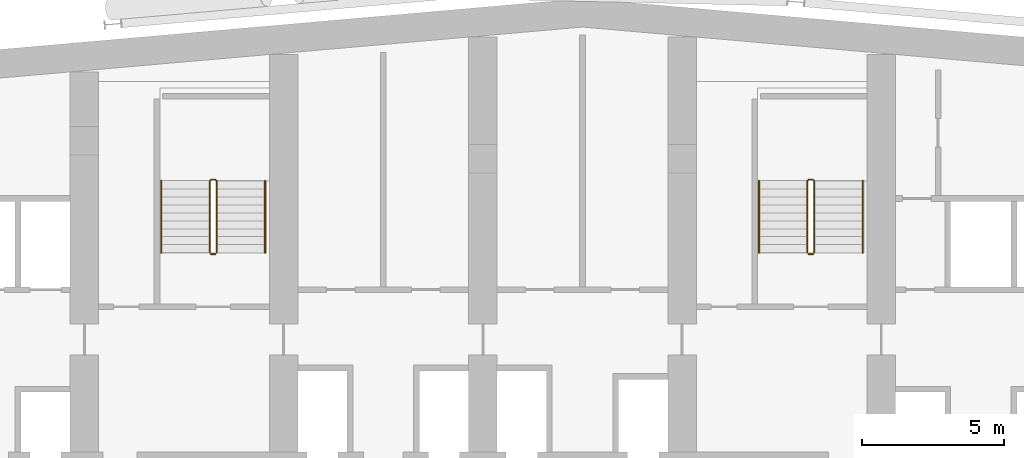
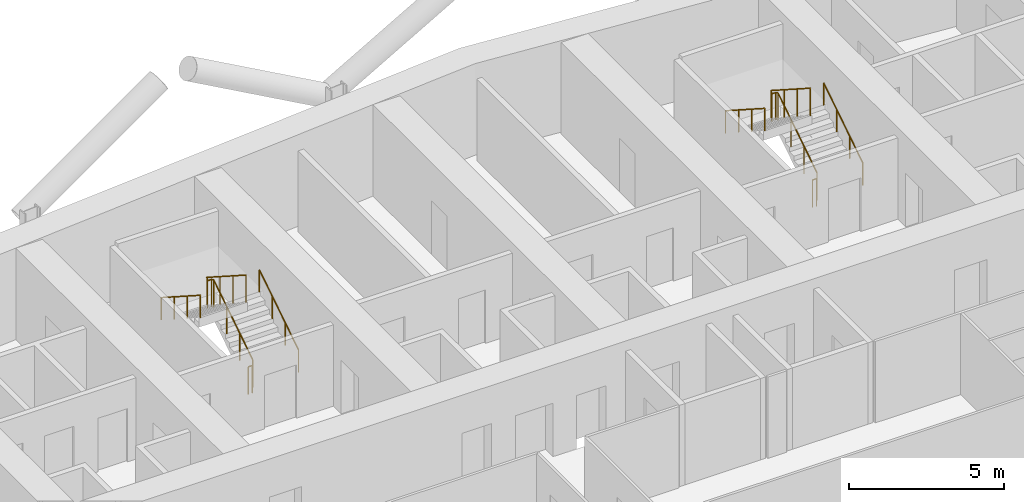
# One storey, part 25 of 26: 8 railings.
"""IFC4 building model written with IfcOpenShell, lengths in metres."""

from ifc_helpers import new_model, si_unit, direction, frame, origin, origin_2d, place, context, subcontext, project, spatial, circle, extrude, material, type_object, element, save


model = new_model("IFC4")

# Units and contexts
model_context = context("Model", 3, precision=1e-05, world=origin(), true_north=direction((0.0, 1.0)))
body_context = subcontext(model_context, "Body", "Model", "MODEL_VIEW")
ifc_project = project(units=[si_unit("LENGTHUNIT", "METRE"), si_unit("AREAUNIT", "SQUARE_METRE"), si_unit("VOLUMEUNIT", "CUBIC_METRE"), si_unit("PLANEANGLEUNIT", "RADIAN"), si_unit("MASSUNIT", "GRAM", prefix="KILO")], contexts=[model_context])

# Site, building, storey
site_placement = place(None, origin())
site = spatial("IfcSite", under=ifc_project, at=site_placement, CompositionType="ELEMENT")
building_placement = place(site_placement, origin())
building = spatial("IfcBuilding", under=site, at=building_placement, Name="Wharfspan Tower", CompositionType="ELEMENT")
storey_placement = place(building_placement, frame((0.0, 0.0, 114.699951)))
storey = spatial("IfcBuildingStorey", under=building, at=storey_placement, Name="L26", CompositionType="ELEMENT", Elevation=114.699951)

# Railings
ifc_material = material(Name="Steel S355J2", Category="steel")
railing_type_1 = type_object("IfcRailingType", Name="Stair guard 1100", PredefinedType="GUARDRAIL", material=ifc_material)
railing_1_placement = place(storey_placement, frame((27.649902, 42.0, 0.179932)))
element("IfcRailing", 1, at=railing_1_placement, inside=storey, type_object=railing_type_1, Name="L26 ST1 stair guard 1", PredefinedType="GUARDRAIL", context=body_context, shape_type="SweptSolid", body=[
    extrude(circle(Radius=0.023926, at=origin_2d()), frame((0.0, 0.0, 1.076172), z_axis=(0.0, 0.841163, 0.540782), x_axis=(-1.0, 0.0, 0.0)), (0.0, 0.0, 1.0), 2.99585),
    extrude(circle(Radius=0.023926, at=origin_2d()), frame((0.0, 2.52002, 2.696289), z_axis=(-0.705376, 0.708834, 0.0), x_axis=(-0.708834, -0.705376, 0.0)), (0.0, 0.0, 1.0), 0.070557),
    extrude(circle(Radius=0.023926, at=origin_2d()), frame((-0.049805, 2.570068, 2.696289), z_axis=(-1.0, 0.0, 0.0), x_axis=(0.0, -1.0, 0.0)), (0.0, 0.0, 1.0), 0.150146),
    extrude(circle(Radius=0.023926, at=origin_2d()), frame((-0.199951, 2.570068, 2.696289), z_axis=(-0.258848, -0.258848, 0.930589), x_axis=(0.707107, -0.707107, 0.0)), (0.0, 0.0, 1.0), 0.193359),
    extrude(circle(Radius=0.023926, at=origin_2d()), frame((-0.25, 2.52002, 2.875977), z_axis=(0.0, -0.841163, 0.540782), x_axis=(1.0, 0.0, 0.0)), (0.0, 0.0, 1.0), 2.99585),
    extrude(circle(Radius=0.020996, at=origin_2d()), origin(), (0.0, 0.0, 1.0), 1.052002),
    extrude(circle(Radius=0.020996, at=origin_2d()), frame((0.0, 0.840088, 0.540039)), (0.0, 0.0, 1.0), 1.052002),
    extrude(circle(Radius=0.020996, at=origin_2d()), frame((0.0, 1.679932, 1.080078)), (0.0, 0.0, 1.0), 1.052002),
    extrude(circle(Radius=0.020996, at=origin_2d()), frame((0.0, 2.52002, 1.620117)), (0.0, 0.0, 1.0), 1.052002),
    extrude(circle(Radius=0.020996, at=origin_2d()), frame((-0.049805, 2.570068, 1.620117)), (0.0, 0.0, 1.0), 1.052002),
    extrude(circle(Radius=0.020996, at=origin_2d()), frame((-0.199951, 2.570068, 1.620117)), (0.0, 0.0, 1.0), 1.052002),
    extrude(circle(Radius=0.020996, at=origin_2d()), frame((-0.25, 2.52002, 1.800049)), (0.0, 0.0, 1.0), 1.052002),
    extrude(circle(Radius=0.020996, at=origin_2d()), frame((-0.25, 1.679932, 2.340088)), (0.0, 0.0, 1.0), 1.052002),
    extrude(circle(Radius=0.020996, at=origin_2d()), frame((-0.25, 0.840088, 2.880127)), (0.0, 0.0, 1.0), 1.052002),
    extrude(circle(Radius=0.020996, at=origin_2d()), frame((-0.25, 0.0, 3.420166)), (0.0, 0.0, 1.0), 1.052002),
])
railing_2_placement = place(storey_placement, frame((27.600098, 41.949951, 0.0)))
element("IfcRailing", 2, at=railing_2_placement, inside=storey, type_object=railing_type_1, Name="L26 ST1 stair guard 2", PredefinedType="GUARDRAIL", context=body_context, shape_type="SweptSolid", body=[
    extrude(circle(Radius=0.023926, at=origin_2d()), frame((0.0, 0.0, 1.076172), z_axis=(-1.0, 0.0, 0.0), x_axis=(0.0, -1.0, 0.0)), (0.0, 0.0, 1.0), 0.150146),
    extrude(circle(Radius=0.020996, at=origin_2d()), origin(), (0.0, 0.0, 1.0), 1.052002),
    extrude(circle(Radius=0.020996, at=origin_2d()), frame((-0.150146, 0.0, 0.0)), (0.0, 0.0, 1.0), 1.052002),
])
railing_3_placement = place(storey_placement, frame((48.649902, 42.0, 0.179932)))
element("IfcRailing", 3, at=railing_3_placement, inside=storey, type_object=railing_type_1, Name="L26 ST2 stair guard 1", PredefinedType="GUARDRAIL", context=body_context, shape_type="SweptSolid", body=[
    extrude(circle(Radius=0.023926, at=origin_2d()), frame((0.0, 0.0, 1.076172), z_axis=(0.0, 0.841163, 0.540782), x_axis=(-1.0, 0.0, 0.0)), (0.0, 0.0, 1.0), 2.99585),
    extrude(circle(Radius=0.023926, at=origin_2d()), frame((0.0, 2.52002, 2.696289), z_axis=(-0.705376, 0.708834, 0.0), x_axis=(-0.708834, -0.705376, 0.0)), (0.0, 0.0, 1.0), 0.070557),
    extrude(circle(Radius=0.023926, at=origin_2d()), frame((-0.049805, 2.570068, 2.696289), z_axis=(-1.0, 0.0, 0.0), x_axis=(0.0, -1.0, 0.0)), (0.0, 0.0, 1.0), 0.150146),
    extrude(circle(Radius=0.023926, at=origin_2d()), frame((-0.199951, 2.570068, 2.696289), z_axis=(-0.258848, -0.258848, 0.930589), x_axis=(0.707107, -0.707107, 0.0)), (0.0, 0.0, 1.0), 0.193359),
    extrude(circle(Radius=0.023926, at=origin_2d()), frame((-0.25, 2.52002, 2.875977), z_axis=(0.0, -0.841163, 0.540782), x_axis=(1.0, 0.0, 0.0)), (0.0, 0.0, 1.0), 2.99585),
    extrude(circle(Radius=0.020996, at=origin_2d()), origin(), (0.0, 0.0, 1.0), 1.052002),
    extrude(circle(Radius=0.020996, at=origin_2d()), frame((0.0, 0.840088, 0.540039)), (0.0, 0.0, 1.0), 1.052002),
    extrude(circle(Radius=0.020996, at=origin_2d()), frame((0.0, 1.679932, 1.080078)), (0.0, 0.0, 1.0), 1.052002),
    extrude(circle(Radius=0.020996, at=origin_2d()), frame((0.0, 2.52002, 1.620117)), (0.0, 0.0, 1.0), 1.052002),
    extrude(circle(Radius=0.020996, at=origin_2d()), frame((-0.049805, 2.570068, 1.620117)), (0.0, 0.0, 1.0), 1.052002),
    extrude(circle(Radius=0.020996, at=origin_2d()), frame((-0.199951, 2.570068, 1.620117)), (0.0, 0.0, 1.0), 1.052002),
    extrude(circle(Radius=0.020996, at=origin_2d()), frame((-0.25, 2.52002, 1.800049)), (0.0, 0.0, 1.0), 1.052002),
    extrude(circle(Radius=0.020996, at=origin_2d()), frame((-0.25, 1.679932, 2.340088)), (0.0, 0.0, 1.0), 1.052002),
    extrude(circle(Radius=0.020996, at=origin_2d()), frame((-0.25, 0.840088, 2.880127)), (0.0, 0.0, 1.0), 1.052002),
    extrude(circle(Radius=0.020996, at=origin_2d()), frame((-0.25, 0.0, 3.420166)), (0.0, 0.0, 1.0), 1.052002),
])
railing_4_placement = place(storey_placement, frame((48.600098, 41.949951, 0.0)))
element("IfcRailing", 4, at=railing_4_placement, inside=storey, type_object=railing_type_1, Name="L26 ST2 stair guard 2", PredefinedType="GUARDRAIL", context=body_context, shape_type="SweptSolid", body=[
    extrude(circle(Radius=0.023926, at=origin_2d()), frame((0.0, 0.0, 1.076172), z_axis=(-1.0, 0.0, 0.0), x_axis=(0.0, -1.0, 0.0)), (0.0, 0.0, 1.0), 0.150146),
    extrude(circle(Radius=0.020996, at=origin_2d()), origin(), (0.0, 0.0, 1.0), 1.052002),
    extrude(circle(Radius=0.020996, at=origin_2d()), frame((-0.150146, 0.0, 0.0)), (0.0, 0.0, 1.0), 1.052002),
])
railing_type_2 = type_object("IfcRailingType", Name="Stair handrail 900", PredefinedType="HANDRAIL", material=ifc_material)
railing_5_placement = place(storey_placement, frame((29.350098, 42.0, 0.179932)))
element("IfcRailing", 5, at=railing_5_placement, inside=storey, type_object=railing_type_2, Name="L26 ST1 stair handrail 1", PredefinedType="HANDRAIL", context=body_context, shape_type="SweptSolid", body=[
    extrude(circle(Radius=0.023926, at=origin_2d()), frame((0.0, 0.0, 0.875977), z_axis=(0.0, 0.841163, 0.540782), x_axis=(-1.0, 0.0, 0.0)), (0.0, 0.0, 1.0), 2.99585),
    extrude(circle(Radius=0.020996, at=origin_2d()), origin(), (0.0, 0.0, 1.0), 0.851807),
    extrude(circle(Radius=0.020996, at=origin_2d()), frame((0.0, 0.840088, 0.540039)), (0.0, 0.0, 1.0), 0.851807),
    extrude(circle(Radius=0.020996, at=origin_2d()), frame((0.0, 1.679932, 1.080078)), (0.0, 0.0, 1.0), 0.851807),
    extrude(circle(Radius=0.020996, at=origin_2d()), frame((0.0, 2.52002, 1.620117)), (0.0, 0.0, 1.0), 0.851807),
])
railing_6_placement = place(storey_placement, frame((25.699951, 44.52002, 1.97998)))
element("IfcRailing", 6, at=railing_6_placement, inside=storey, type_object=railing_type_2, Name="L26 ST1 stair handrail 2", PredefinedType="HANDRAIL", context=body_context, shape_type="SweptSolid", body=[
    extrude(circle(Radius=0.023926, at=origin_2d()), frame((0.0, 0.0, 0.875977), z_axis=(0.0, -0.841163, 0.540782), x_axis=(1.0, 0.0, 0.0)), (0.0, 0.0, 1.0), 2.99585),
    extrude(circle(Radius=0.020996, at=origin_2d()), origin(), (0.0, 0.0, 1.0), 0.851807),
    extrude(circle(Radius=0.020996, at=origin_2d()), frame((0.0, -0.840088, 0.540039)), (0.0, 0.0, 1.0), 0.851807),
    extrude(circle(Radius=0.020996, at=origin_2d()), frame((0.0, -1.679932, 1.080078)), (0.0, 0.0, 1.0), 0.851807),
    extrude(circle(Radius=0.020996, at=origin_2d()), frame((0.0, -2.52002, 1.620117)), (0.0, 0.0, 1.0), 0.851807),
])
railing_7_placement = place(storey_placement, frame((50.350098, 42.0, 0.179932)))
element("IfcRailing", 7, at=railing_7_placement, inside=storey, type_object=railing_type_2, Name="L26 ST2 stair handrail 1", PredefinedType="HANDRAIL", context=body_context, shape_type="SweptSolid", body=[
    extrude(circle(Radius=0.023926, at=origin_2d()), frame((0.0, 0.0, 0.875977), z_axis=(0.0, 0.841163, 0.540782), x_axis=(-1.0, 0.0, 0.0)), (0.0, 0.0, 1.0), 2.99585),
    extrude(circle(Radius=0.020996, at=origin_2d()), origin(), (0.0, 0.0, 1.0), 0.851807),
    extrude(circle(Radius=0.020996, at=origin_2d()), frame((0.0, 0.840088, 0.540039)), (0.0, 0.0, 1.0), 0.851807),
    extrude(circle(Radius=0.020996, at=origin_2d()), frame((0.0, 1.679932, 1.080078)), (0.0, 0.0, 1.0), 0.851807),
    extrude(circle(Radius=0.020996, at=origin_2d()), frame((0.0, 2.52002, 1.620117)), (0.0, 0.0, 1.0), 0.851807),
])
railing_8_placement = place(storey_placement, frame((46.699951, 44.52002, 1.97998)))
element("IfcRailing", 8, at=railing_8_placement, inside=storey, type_object=railing_type_2, Name="L26 ST2 stair handrail 2", PredefinedType="HANDRAIL", context=body_context, shape_type="SweptSolid", body=[
    extrude(circle(Radius=0.023926, at=origin_2d()), frame((0.0, 0.0, 0.875977), z_axis=(0.0, -0.841163, 0.540782), x_axis=(1.0, 0.0, 0.0)), (0.0, 0.0, 1.0), 2.99585),
    extrude(circle(Radius=0.020996, at=origin_2d()), origin(), (0.0, 0.0, 1.0), 0.851807),
    extrude(circle(Radius=0.020996, at=origin_2d()), frame((0.0, -0.840088, 0.540039)), (0.0, 0.0, 1.0), 0.851807),
    extrude(circle(Radius=0.020996, at=origin_2d()), frame((0.0, -1.679932, 1.080078)), (0.0, 0.0, 1.0), 0.851807),
    extrude(circle(Radius=0.020996, at=origin_2d()), frame((0.0, -2.52002, 1.620117)), (0.0, 0.0, 1.0), 0.851807),
])

save(model, "model.ifc")
